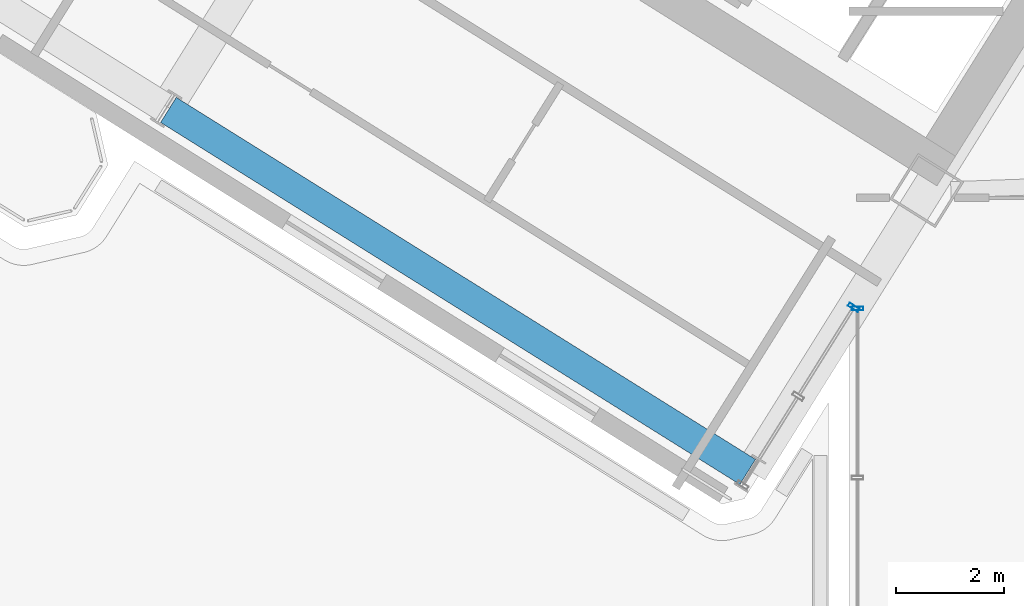
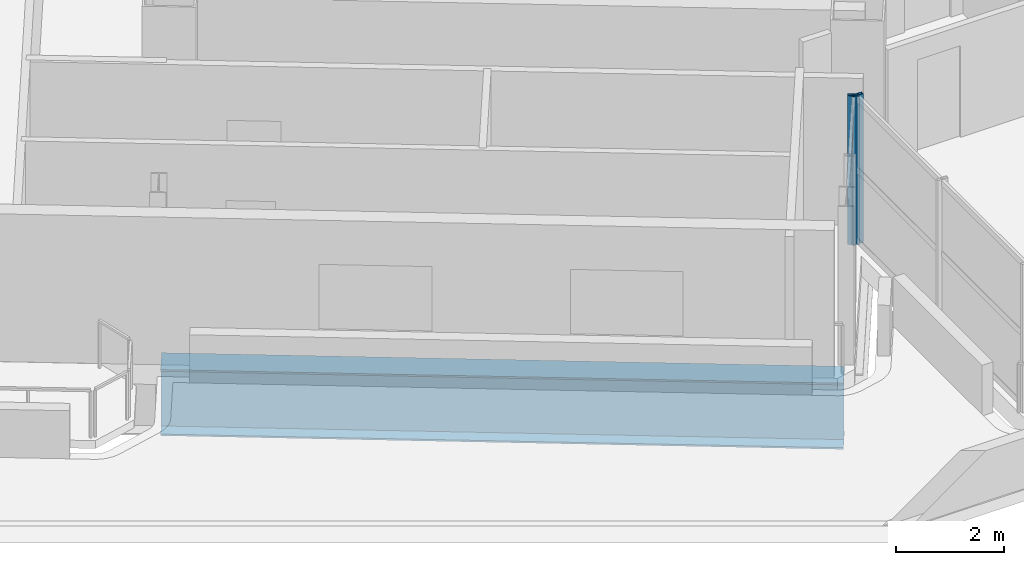
# One storey, part 5 of 28: 2 members, 1 beam, 2 elements without a shape of their own.
"""IFC4 building model written with IfcOpenShell, lengths in metres."""

from ifc_helpers import new_model, si_unit, direction, frame, origin, origin_2d, place, context, subcontext, project, spatial, hollow_rectangle, i_section, extrude, source, transform, mapped, material, material_profile, profile_set, type_object, element, aggregate, save


model = new_model("IFC4")

# Units and contexts
model_context = context("Model", 3, precision=1e-05, world=origin(), true_north=direction((0.0, 1.0)))
body_context = subcontext(model_context, "Body", "Model", "MODEL_VIEW")
ifc_project = project(units=[si_unit("LENGTHUNIT", "METRE"), si_unit("AREAUNIT", "SQUARE_METRE"), si_unit("VOLUMEUNIT", "CUBIC_METRE"), si_unit("PLANEANGLEUNIT", "RADIAN"), si_unit("MASSUNIT", "GRAM", prefix="KILO")], contexts=[model_context])

# Site, building, storey
site_placement = place(None, origin())
site = spatial("IfcSite", under=ifc_project, at=site_placement, CompositionType="ELEMENT")
building_placement = place(site_placement, origin())
building = spatial("IfcBuilding", under=site, at=building_placement, Name="Tlacorven Tower", CompositionType="ELEMENT")
storey_placement = place(building_placement, frame((0.0, 0.0, 24.0)))
storey = spatial("IfcBuildingStorey", under=building, at=storey_placement, Name="L05", CompositionType="ELEMENT", Elevation=24.0)

# Beam
ifc_material_1 = material(Name="Steel S460M", Category="steel")
ifc_material_profile_1 = material_profile(ifc_material_1, i_section(OverallWidth=0.550048828125, OverallDepth=1.5, WebThickness=0.02490234375, FlangeThickness=0.0380859375, at=origin_2d()), Name="PG 1500X550X25X38")
ifc_profile_set_1 = profile_set([ifc_material_profile_1], Name="Steel S460M")
beam_type = type_object("IfcBeamType", Name="BM-TRG-1500", PredefinedType="USERDEFINED", material=ifc_profile_set_1)
shared_shape_1 = source(origin(), body_context, "Body", "SweptSolid", [
    extrude(i_section(OverallWidth=0.550048828125, OverallDepth=1.5, WebThickness=0.02490234375, FlangeThickness=0.0380859375, at=origin_2d()), origin(), (0.0, 0.0, 1.0), 12.699951171875),
])
beam_placement = place(storey_placement, frame((29.71826171875, 6.85546875, -1.199951171875), z_axis=(-0.848049059057, 0.529917723268, 0.0), x_axis=(-0.529917723268, -0.848049059057, 0.0)))
element("IfcBeam", 1, at=beam_placement, inside=storey, type_object=beam_type, Name="L05 beam TG-L05-WS1", ObjectType="TRANSFER GIRDER", PredefinedType="USERDEFINED", context=body_context, shape_type="MappedRepresentation", body=[
    mapped(shared_shape_1, transform((0.0, 0.0, 0.0), scale=1.0)),
])

# Curtain wall, member
ifc_material_2 = material(Name="Dark solar low-E double glazing in aluminium frame", Category="aluminium")
curtain_wall_type = type_object("IfcCurtainWallType", Name="CW-TWR-LOW", PredefinedType="USERDEFINED", material=ifc_material_2)
curtain_wall_1_placement = place(storey_placement, origin())
curtain_wall_1 = element("IfcCurtainWall", 2, at=curtain_wall_1_placement, inside=storey, type_object=curtain_wall_type, Name="L05 CW-TWR-LOW Curtain Wall 24", ObjectType="UNITISED CURTAIN WALL", PredefinedType="USERDEFINED")
ifc_material_3 = material(Name="Aluminium 6063-T6 anodised", Category="aluminium")
ifc_material_profile_2 = material_profile(ifc_material_3, hollow_rectangle(XDim=0.070068359375, YDim=0.219970703125, WallThickness=0.0048828125, at=origin_2d()), Name="ALU MULLION 70X220")
ifc_profile_set_2 = profile_set([ifc_material_profile_2], Name="Aluminium 6063-T6 anodised")
member_type = type_object("IfcMemberType", Name="CWM-01", PredefinedType="MULLION", material=ifc_profile_set_2)
shared_shape_2 = source(origin(), body_context, "Body", "SweptSolid", [
    extrude(hollow_rectangle(XDim=0.070068359375, YDim=0.219970703125, WallThickness=0.0048828125, at=origin_2d()), origin(), (0.0, 0.0, 1.0), 3.380126953125),
])
member_1_placement = place(storey_placement, frame((31.760009765625, 9.8935546875, -0.02001953125), z_axis=(0.0, 0.0, 1.0), x_axis=(0.0, 1.0, 0.0)))
member_1 = element("IfcMember", 3, at=member_1_placement, type_object=member_type, Name="CW-L05-024 Mullion 3", PredefinedType="MULLION", context=body_context, shape_type="MappedRepresentation", body=[
    mapped(shared_shape_2, transform((0.0, 0.0, 0.0), scale=1.0)),
])
aggregate(curtain_wall_1, [member_1])

curtain_wall_2_placement = place(storey_placement, origin())
curtain_wall_2 = element("IfcCurtainWall", 4, at=curtain_wall_2_placement, inside=storey, type_object=curtain_wall_type, Name="L05 CW-TWR-LOW Curtain Wall 25", ObjectType="UNITISED CURTAIN WALL", PredefinedType="USERDEFINED")
member_2_placement = place(storey_placement, frame((31.6884765625, 9.9140625, -0.02001953125), z_axis=(0.0, 0.0, 1.0), x_axis=(-0.529918710919, -0.848048441905, 0.0)))
member_2 = element("IfcMember", 5, at=member_2_placement, type_object=member_type, Name="CW-L05-025 Mullion 1", PredefinedType="MULLION", context=body_context, shape_type="MappedRepresentation", body=[
    mapped(shared_shape_2, transform((0.0, 0.0, 0.0), scale=1.0)),
])
aggregate(curtain_wall_2, [member_2])

save(model, "model.ifc")
